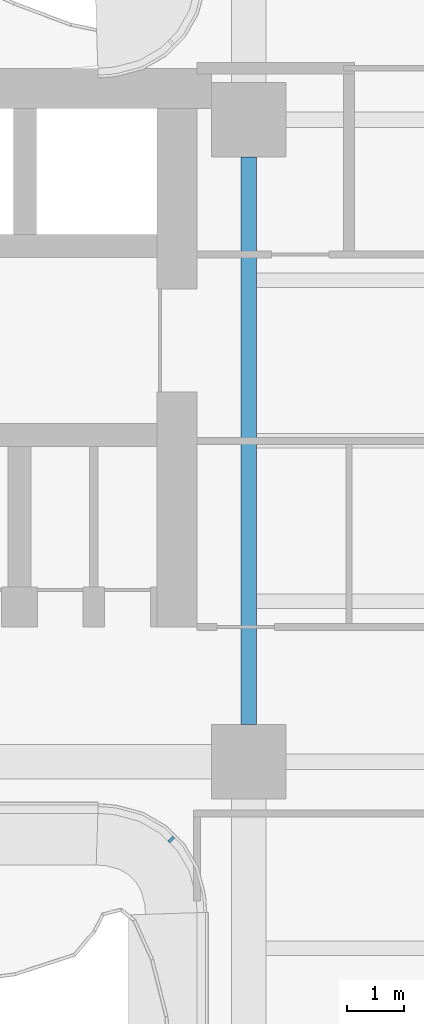
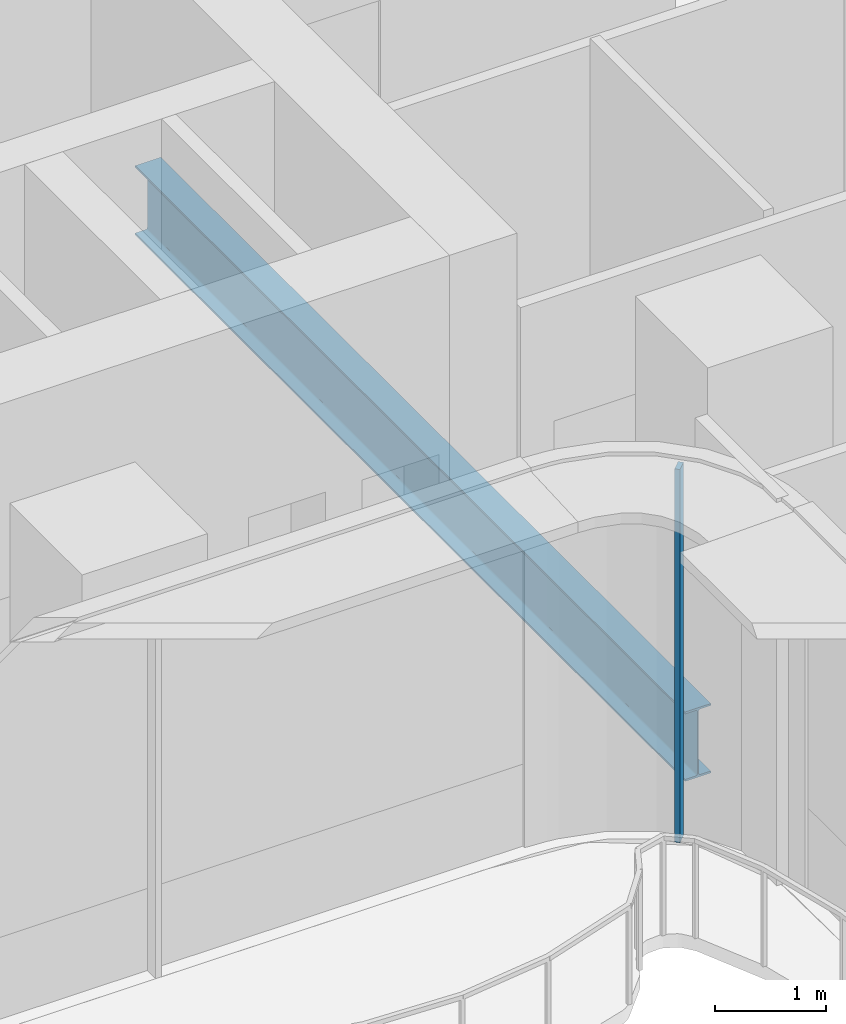
# One storey, part 4 of 21: 1 beam, 1 member, 1 element without a shape of its own.
"""IFC4 building model written with IfcOpenShell, lengths in metres."""

from ifc_helpers import new_model, si_unit, direction, frame, origin, origin_2d, place, context, subcontext, project, spatial, rectangle, i_section, extrude, source, transform, mapped, material, layer, layer_set, material_profile, profile_set, type_object, element, aggregate, save


model = new_model("IFC4")

# Units and contexts
model_context = context("Model", 3, precision=1e-05, world=origin(), true_north=direction((0.0, 1.0)))
body_context = subcontext(model_context, "Body", "Model", "MODEL_VIEW")
ifc_project = project(units=[si_unit("LENGTHUNIT", "METRE"), si_unit("AREAUNIT", "SQUARE_METRE"), si_unit("VOLUMEUNIT", "CUBIC_METRE"), si_unit("PLANEANGLEUNIT", "RADIAN"), si_unit("MASSUNIT", "GRAM", prefix="KILO")], contexts=[model_context])

# Site, building, storey
site_placement = place(None, origin())
site = spatial("IfcSite", under=ifc_project, at=site_placement, CompositionType="ELEMENT")
building_placement = place(site_placement, origin())
building = spatial("IfcBuilding", under=site, at=building_placement, Name="Trellis Farm Tower", CompositionType="ELEMENT")
storey_placement = place(building_placement, frame((0.0, 0.0, 147.0)))
storey = spatial("IfcBuildingStorey", under=building, at=storey_placement, Name="L31", CompositionType="ELEMENT", Elevation=147.0)

# Beam
ifc_material_1 = material(Name="Steel S355", Category="steel")
ifc_material_profile_1 = material_profile(ifc_material_1, i_section(OverallWidth=0.2666015625, OverallDepth=0.76220703125, WebThickness=0.014404296875, FlangeThickness=0.021484375, FilletRadius=0.0166015625, at=origin_2d()), Name="UB 762x267x173")
ifc_profile_set_1 = profile_set([ifc_material_profile_1], Name="Steel S355")
beam_type = type_object("IfcBeamType", Name="UB 762x267x173", PredefinedType="BEAM", material=ifc_profile_set_1)
shared_shape_1 = source(origin(), body_context, "Body", "SweptSolid", [
    extrude(i_section(OverallWidth=0.2666015625, OverallDepth=0.76220703125, WebThickness=0.014404296875, FlangeThickness=0.021484375, FilletRadius=0.0166015625, at=origin_2d()), origin(), (0.0, 0.0, 1.0), 9.89990234375),
])
beam_placement = place(storey_placement, frame((-5.60009765625, -4.949951171875, -0.631103515625), z_axis=(0.0, 1.0, 0.0), x_axis=(-1.0, 0.0, 0.0)))
element("IfcBeam", 1, at=beam_placement, inside=storey, type_object=beam_type, Name="Girder", PredefinedType="BEAM", context=body_context, shape_type="MappedRepresentation", body=[
    mapped(shared_shape_1, transform((0.0, 0.0, 0.0))),
])

# Curtain wall, member
ifc_material_2 = material(Name="Aluminium and glass curtain wall", Category="aluminium")
ifc_layer = layer(ifc_material_2, 0.166015625)
ifc_layer_set = layer_set([ifc_layer], Name="WINTER GARDEN CURTAIN WALL CW3")
curtain_wall_type = type_object("IfcCurtainWallType", Name="WINTER GARDEN CURTAIN WALL CW3", PredefinedType="NOTDEFINED", material=ifc_layer_set)
curtain_wall_placement = place(storey_placement, origin())
curtain_wall = element("IfcCurtainWall", 2, at=curtain_wall_placement, inside=storey, type_object=curtain_wall_type, Name="CW3 001", PredefinedType="NOTDEFINED")
ifc_material_3 = material(Name="Aluminium extrusion 6063-T6", Category="aluminium")
ifc_material_profile_2 = material_profile(ifc_material_3, rectangle(XDim=0.050048828125, YDim=0.1201171875, at=origin_2d()), Name="MULLION 50x120")
ifc_profile_set_2 = profile_set([ifc_material_profile_2], Name="Aluminium extrusion 6063-T6")
member_type = type_object("IfcMemberType", Name="CW3 MULLION 50x120", PredefinedType="MULLION", material=ifc_profile_set_2)
shared_shape_2 = source(origin(), body_context, "Body", "SweptSolid", [
    extrude(rectangle(XDim=0.050048828125, YDim=0.1201171875, at=origin_2d()), origin(), (0.0, 0.0, 1.0), 4.10009765625),
])
member_placement = place(storey_placement, frame((-6.953125, -6.953125, 0.0), z_axis=(0.0, 0.0, 1.0), x_axis=(0.707106781187, -0.707106781187, 0.0)))
member = element("IfcMember", 3, at=member_placement, type_object=member_type, Name="MU3 001-01", PredefinedType="MULLION", context=body_context, shape_type="MappedRepresentation", body=[
    mapped(shared_shape_2, transform((0.0, 0.0, 0.0))),
])
aggregate(curtain_wall, [member])

save(model, "model.ifc")
